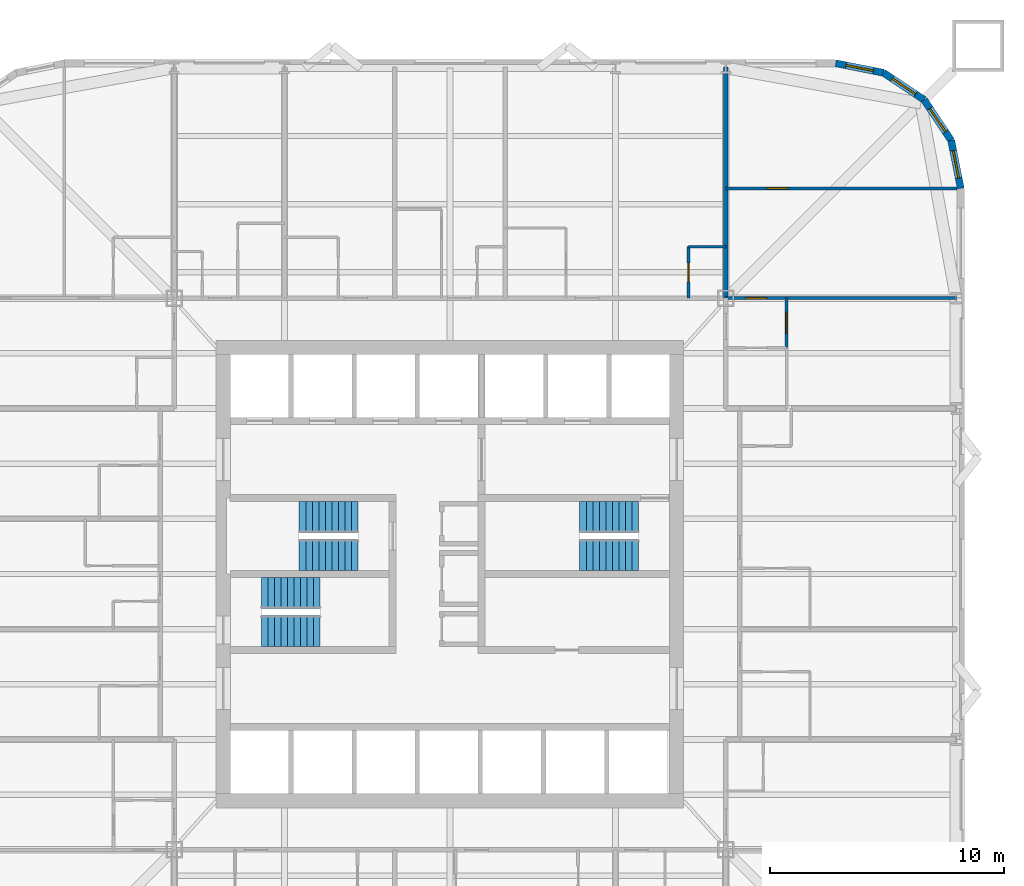
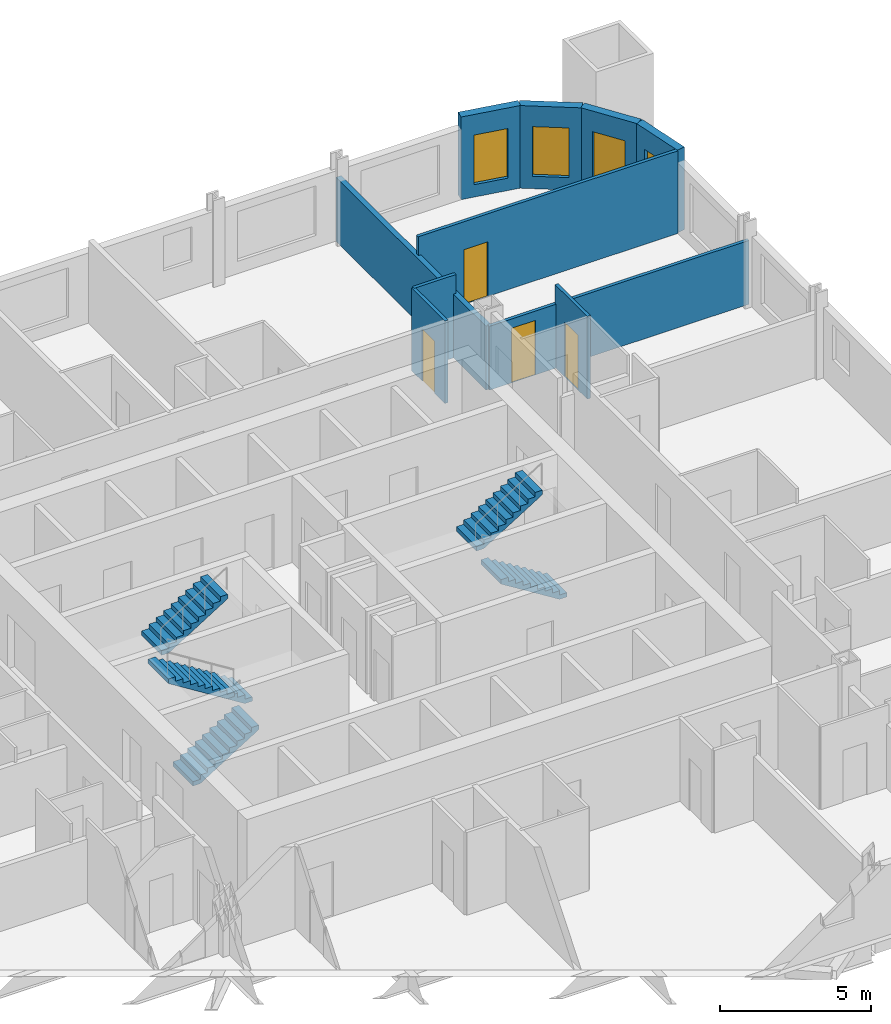
# One storey, part 8 of 9: 10 walls, 6 stair flights, 4 doors, 4 windows, 8 openings, 3 elements without a shape of their own.
"""IFC4 building model written with IfcOpenShell, lengths in metres."""

from ifc_helpers import new_model, si_unit, direction, frame, frame_2d, origin, place, context, subcontext, project, spatial, polyline, rectangle, outline, extrude, material, layer, layer_set, type_object, element, fill, aggregate, save


model = new_model("IFC4")

# Units and contexts
model_context = context("Model", 3, precision=1e-05, world=origin(), true_north=direction((0.0, 1.0)))
body_context = subcontext(model_context, "Body", "Model", "MODEL_VIEW")
ifc_project = project(units=[si_unit("LENGTHUNIT", "METRE"), si_unit("AREAUNIT", "SQUARE_METRE"), si_unit("VOLUMEUNIT", "CUBIC_METRE"), si_unit("PLANEANGLEUNIT", "RADIAN"), si_unit("MASSUNIT", "GRAM", prefix="KILO")], contexts=[model_context])

# Site, building, storey
site_placement = place(None, origin())
site = spatial("IfcSite", under=ifc_project, at=site_placement, CompositionType="ELEMENT")
building_placement = place(site_placement, origin())
building = spatial("IfcBuilding", under=site, at=building_placement, Name="Turquesa Mirador Hotel Tower", CompositionType="ELEMENT")
storey_placement = place(building_placement, frame((0.0, 0.0, 49.5)))
storey = spatial("IfcBuildingStorey", under=building, at=storey_placement, Name="L12", CompositionType="ELEMENT", Elevation=49.5)

# Wall, opening, window
ifc_material_1 = material(Name="Limestone cladding on concrete block", Category="masonry")
ifc_layer_1 = layer(ifc_material_1, 0.300048828125)
ifc_layer_set_1 = layer_set([ifc_layer_1], Name="FACADE WALL 300 STONE SCREEN")
wall_type_1 = type_object("IfcWallType", Name="FACADE WALL 300 STONE SCREEN", PredefinedType="SOLIDWALL", material=ifc_layer_set_1)
wall_1_placement = place(storey_placement, frame((76.85009765625, 61.5, 0.0), z_axis=(0.0, 0.0, 1.0), x_axis=(-0.195081421501, 0.980787050784, 0.0)))
wall_1 = element("IfcWall", 1, at=wall_1_placement, inside=storey, type_object=wall_type_1, Name="Facade wall L12 05", PredefinedType="SOLIDWALL", context=body_context, shape_type="SweptSolid", body=[
    extrude(rectangle(XDim=2.08740234375, YDim=0.300048828125, at=frame_2d((1.043701171875, 0.0))), origin(), (0.0, 0.0, 1.0), 3.330078125),
])
opening_1_placement = place(wall_1_placement, frame((0.443603515625, 0.0, 0.5)))
opening_1 = element("IfcOpeningElement", 2, at=opening_1_placement, cuts=wall_1, Name="Opening WN4", PredefinedType="OPENING", context=body_context, shape_type="SweptSolid", body=[
    extrude(rectangle(XDim=1.199951171875, YDim=2.0, at=frame_2d((0.60009765625, 1.0))), frame((0.0, 0.159912109375, 0.0), z_axis=(0.0, -1.0, 0.0), x_axis=(1.0, 0.0, 0.0)), (0.0, 0.0, 1.0), 0.320068359375),
])
ifc_material_2 = material(Name="Ceramic-fritted laminated glass", Category="glass")
window_type = type_object("IfcWindowType", Name="FRITTED CORNER WINDOW 1200X2000", PartitioningType="DOUBLE_PANEL_HORIZONTAL", PredefinedType="WINDOW", material=ifc_material_2)
window_1_placement = place(opening_1_placement, origin())
window_1 = element("IfcWindow", 3, at=window_1_placement, inside=storey, type_object=window_type, Name="Window L12", OverallHeight=2.0, OverallWidth=1.199951171875, PartitioningType="SINGLE_PANEL", PredefinedType="WINDOW", context=body_context, shape_type="SweptSolid", body=[
    extrude(rectangle(XDim=1.199951171875, YDim=2.0, at=frame_2d((0.60009765625, 1.0))), frame((0.0, 0.030029296875, 0.0), z_axis=(0.0, -1.0, 0.0), x_axis=(1.0, 0.0, 0.0)), (0.0, 0.0, 1.0), 0.06005859375),
])
fill(opening_1, window_1)

wall_2_placement = place(storey_placement, frame((76.44287109375, 63.54736328125, 0.0), z_axis=(0.0, 0.0, 1.0), x_axis=(-0.555644460423, 0.831420010345, 0.0)))
wall_2 = element("IfcWall", 4, at=wall_2_placement, inside=storey, type_object=wall_type_1, Name="Facade wall L12 06", PredefinedType="SOLIDWALL", context=body_context, shape_type="SweptSolid", body=[
    extrude(rectangle(XDim=2.08740234375, YDim=0.300048828125, at=frame_2d((1.043701171875, 0.0))), origin(), (0.0, 0.0, 1.0), 3.330078125),
])
opening_2_placement = place(wall_2_placement, frame((0.443603515625, 0.0, 0.5)))
opening_2 = element("IfcOpeningElement", 5, at=opening_2_placement, cuts=wall_2, Name="Opening WN4", PredefinedType="OPENING", context=body_context, shape_type="SweptSolid", body=[
    extrude(rectangle(XDim=1.199951171875, YDim=2.0, at=frame_2d((0.60009765625, 1.0))), frame((0.0, 0.159912109375, 0.0), z_axis=(0.0, -1.0, 0.0), x_axis=(1.0, 0.0, 0.0)), (0.0, 0.0, 1.0), 0.320068359375),
])
window_2_placement = place(opening_2_placement, origin())
window_2 = element("IfcWindow", 6, at=window_2_placement, inside=storey, type_object=window_type, Name="Window L12", OverallHeight=2.0, OverallWidth=1.199951171875, PartitioningType="SINGLE_PANEL", PredefinedType="WINDOW", context=body_context, shape_type="SweptSolid", body=[
    extrude(rectangle(XDim=1.199951171875, YDim=2.0, at=frame_2d((0.60009765625, 1.0))), frame((0.0, 0.030029296875, 0.0), z_axis=(0.0, -1.0, 0.0), x_axis=(1.0, 0.0, 0.0)), (0.0, 0.0, 1.0), 0.06005859375),
])
fill(opening_2, window_2)

wall_3_placement = place(storey_placement, frame((75.282958984375, 65.282958984375, 0.0), z_axis=(0.0, 0.0, 1.0), x_axis=(-0.831420010345, 0.555644460423, 0.0)))
wall_3 = element("IfcWall", 7, at=wall_3_placement, inside=storey, type_object=wall_type_1, Name="Facade wall L12 07", PredefinedType="SOLIDWALL", context=body_context, shape_type="SweptSolid", body=[
    extrude(rectangle(XDim=2.08740234375, YDim=0.300048828125, at=frame_2d((1.043701171875, 0.0))), origin(), (0.0, 0.0, 1.0), 3.330078125),
])
opening_3_placement = place(wall_3_placement, frame((0.443603515625, 0.0, 0.5)))
opening_3 = element("IfcOpeningElement", 8, at=opening_3_placement, cuts=wall_3, Name="Opening WN4", PredefinedType="OPENING", context=body_context, shape_type="SweptSolid", body=[
    extrude(rectangle(XDim=1.199951171875, YDim=2.0, at=frame_2d((0.60009765625, 1.0))), frame((0.0, 0.159912109375, 0.0), z_axis=(0.0, -1.0, 0.0), x_axis=(1.0, 0.0, 0.0)), (0.0, 0.0, 1.0), 0.320068359375),
])
window_3_placement = place(opening_3_placement, origin())
window_3 = element("IfcWindow", 9, at=window_3_placement, inside=storey, type_object=window_type, Name="Window L12", OverallHeight=2.0, OverallWidth=1.199951171875, PartitioningType="SINGLE_PANEL", PredefinedType="WINDOW", context=body_context, shape_type="SweptSolid", body=[
    extrude(rectangle(XDim=1.199951171875, YDim=2.0, at=frame_2d((0.60009765625, 1.0))), frame((0.0, 0.030029296875, 0.0), z_axis=(0.0, -1.0, 0.0), x_axis=(1.0, 0.0, 0.0)), (0.0, 0.0, 1.0), 0.06005859375),
])
fill(opening_3, window_3)

wall_4_placement = place(storey_placement, frame((73.54736328125, 66.44287109375, 0.0), z_axis=(0.0, 0.0, 1.0), x_axis=(-0.980787050784, 0.195081421501, 0.0)))
wall_4 = element("IfcWall", 10, at=wall_4_placement, inside=storey, type_object=wall_type_1, Name="Facade wall L12 08", PredefinedType="SOLIDWALL", context=body_context, shape_type="SweptSolid", body=[
    extrude(rectangle(XDim=2.08740234375, YDim=0.300048828125, at=frame_2d((1.043701171875, 0.0))), origin(), (0.0, 0.0, 1.0), 3.330078125),
])
opening_4_placement = place(wall_4_placement, frame((0.443603515625, 0.0, 0.5)))
opening_4 = element("IfcOpeningElement", 11, at=opening_4_placement, cuts=wall_4, Name="Opening WN4", PredefinedType="OPENING", context=body_context, shape_type="SweptSolid", body=[
    extrude(rectangle(XDim=1.199951171875, YDim=2.0, at=frame_2d((0.60009765625, 1.0))), frame((0.0, 0.159912109375, 0.0), z_axis=(0.0, -1.0, 0.0), x_axis=(1.0, 0.0, 0.0)), (0.0, 0.0, 1.0), 0.320068359375),
])
window_4_placement = place(opening_4_placement, origin())
window_4 = element("IfcWindow", 12, at=window_4_placement, inside=storey, type_object=window_type, Name="Window L12", OverallHeight=2.0, OverallWidth=1.199951171875, PartitioningType="SINGLE_PANEL", PredefinedType="WINDOW", context=body_context, shape_type="SweptSolid", body=[
    extrude(rectangle(XDim=1.199951171875, YDim=2.0, at=frame_2d((0.60009765625, 1.0))), frame((0.0, 0.030029296875, 0.0), z_axis=(0.0, -1.0, 0.0), x_axis=(1.0, 0.0, 0.0)), (0.0, 0.0, 1.0), 0.06005859375),
])
fill(opening_4, window_4)

# Wall
ifc_material_3 = material(Name="Fire-rated gypsum board on steel studs", Category="steel")
ifc_layer_2 = layer(ifc_material_3, 0.199951171875)
ifc_layer_set_2 = layer_set([ifc_layer_2], Name="PARTY WALL 200")
wall_type_2 = type_object("IfcWallType", Name="PARTY WALL 200", PredefinedType="PARTITIONING", material=ifc_layer_set_2)
wall_5_placement = place(storey_placement, frame((66.800048828125, 56.800048828125, 0.0), z_axis=(0.0, 0.0, 1.0), x_axis=(0.0, 1.0, 0.0)))
element("IfcWall", 13, at=wall_5_placement, inside=storey, type_object=wall_type_2, Name="Partition L12 078", PredefinedType="PARTITIONING", context=body_context, shape_type="SweptSolid", body=[
    extrude(rectangle(XDim=9.89990234375, YDim=0.199951171875, at=frame_2d((4.949951171875, 0.0))), origin(), (0.0, 0.0, 1.0), 2.572998046875),
])

# Wall, opening, door
ifc_material_4 = material(Name="Acoustic gypsum board on steel studs", Category="steel")
ifc_layer_3 = layer(ifc_material_4, 0.125)
ifc_layer_set_3 = layer_set([ifc_layer_3], Name="SUITE PARTITION 125")
wall_type_3 = type_object("IfcWallType", Name="SUITE PARTITION 125", PredefinedType="PARTITIONING", material=ifc_layer_set_3)
wall_6_placement = place(storey_placement, frame((66.800048828125, 56.800048828125, 0.0), z_axis=(0.0, 0.0, 1.0), x_axis=(1.0, 0.0, 0.0)))
wall_6 = element("IfcWall", 14, at=wall_6_placement, inside=storey, type_object=wall_type_3, Name="Partition L12 028", PredefinedType="PARTITIONING", context=body_context, shape_type="SweptSolid", body=[
    extrude(rectangle(XDim=9.89990234375, YDim=0.125, at=frame_2d((4.949951171875, 0.0))), origin(), (0.0, 0.0, 1.0), 2.572998046875),
])
opening_5_placement = place(wall_6_placement, frame((0.85009765625, 0.0, 0.0)))
opening_5 = element("IfcOpeningElement", 15, at=opening_5_placement, cuts=wall_6, Name="Opening D17", PredefinedType="OPENING", context=body_context, shape_type="SweptSolid", body=[
    extrude(rectangle(XDim=0.89990234375, YDim=2.199951171875, at=frame_2d((0.449951171875, 1.10009765625))), frame((0.0, 0.072509765625, 0.0), z_axis=(0.0, -1.0, 0.0), x_axis=(1.0, 0.0, 0.0)), (0.0, 0.0, 1.0), 0.14501953125),
])
ifc_material_5 = material(Name="Timber veneered door", Category="wood")
door_type_1 = type_object("IfcDoorType", Name="DOOR 900X2200 SUITE INTERNAL", OperationType="SINGLE_SWING_LEFT", PredefinedType="DOOR", material=ifc_material_5)
door_1_placement = place(opening_5_placement, origin())
door_1 = element("IfcDoor", 16, at=door_1_placement, inside=storey, type_object=door_type_1, Name="Door 1213", OperationType="SINGLE_SWING_LEFT", OverallHeight=2.199951171875, OverallWidth=0.89990234375, PredefinedType="DOOR", context=body_context, shape_type="SweptSolid", body=[
    extrude(rectangle(XDim=0.89990234375, YDim=2.199951171875, at=frame_2d((0.449951171875, 1.10009765625))), frame((0.0, 0.02490234375, 0.0), z_axis=(0.0, -1.0, 0.0), x_axis=(1.0, 0.0, 0.0)), (0.0, 0.0, 1.0), 0.050048828125),
])
fill(opening_5, door_1)

# Wall
wall_7_placement = place(storey_placement, frame((65.199951171875, 59.0, 0.0), z_axis=(0.0, 0.0, 1.0), x_axis=(1.0, 0.0, 0.0)))
element("IfcWall", 17, at=wall_7_placement, inside=storey, type_object=wall_type_3, Name="Partition L12 031", PredefinedType="PARTITIONING", context=body_context, shape_type="SweptSolid", body=[
    extrude(rectangle(XDim=1.60009765625, YDim=0.125, at=frame_2d((0.800048828125, 0.0))), origin(), (0.0, 0.0, 1.0), 3.330078125),
])

# Wall, opening, door
wall_8_placement = place(storey_placement, frame((66.800048828125, 61.5, 0.0), z_axis=(0.0, 0.0, 1.0), x_axis=(1.0, 0.0, 0.0)))
wall_8 = element("IfcWall", 18, at=wall_8_placement, inside=storey, type_object=wall_type_3, Name="Partition L12 037", PredefinedType="PARTITIONING", context=body_context, shape_type="SweptSolid", body=[
    extrude(rectangle(XDim=9.89404296875, YDim=0.125, at=frame_2d((4.947021484375, 0.0))), origin(), (0.0, 0.0, 1.0), 3.330078125),
])
opening_6_placement = place(wall_8_placement, frame((1.75, 0.0, 0.0)))
opening_6 = element("IfcOpeningElement", 19, at=opening_6_placement, cuts=wall_8, Name="Opening D17", PredefinedType="OPENING", context=body_context, shape_type="SweptSolid", body=[
    extrude(rectangle(XDim=0.89990234375, YDim=2.199951171875, at=frame_2d((0.449951171875, 1.10009765625))), frame((0.0, 0.072509765625, 0.0), z_axis=(0.0, -1.0, 0.0), x_axis=(1.0, 0.0, 0.0)), (0.0, 0.0, 1.0), 0.14501953125),
])
door_2_placement = place(opening_6_placement, origin())
door_2 = element("IfcDoor", 20, at=door_2_placement, inside=storey, type_object=door_type_1, Name="Door 1213M", OperationType="SINGLE_SWING_LEFT", OverallHeight=2.199951171875, OverallWidth=0.89990234375, PredefinedType="DOOR", context=body_context, shape_type="SweptSolid", body=[
    extrude(rectangle(XDim=0.89990234375, YDim=2.199951171875, at=frame_2d((0.449951171875, 1.10009765625))), frame((0.0, 0.02490234375, 0.0), z_axis=(0.0, -1.0, 0.0), x_axis=(1.0, 0.0, 0.0)), (0.0, 0.0, 1.0), 0.050048828125),
])
fill(opening_6, door_2)

wall_9_placement = place(storey_placement, frame((65.199951171875, 56.800048828125, 0.0), z_axis=(0.0, 0.0, 1.0), x_axis=(0.0, 1.0, 0.0)))
wall_9 = element("IfcWall", 21, at=wall_9_placement, inside=storey, type_object=wall_type_3, Name="Partition L12 073", PredefinedType="PARTITIONING", context=body_context, shape_type="SweptSolid", body=[
    extrude(rectangle(XDim=2.199951171875, YDim=0.125, at=frame_2d((1.10009765625, 0.0))), origin(), (0.0, 0.0, 1.0), 3.330078125),
])
opening_7_placement = place(wall_9_placement, frame((0.699951171875, 0.0, 0.0)))
opening_7 = element("IfcOpeningElement", 22, at=opening_7_placement, cuts=wall_9, Name="Opening D20", PredefinedType="OPENING", context=body_context, shape_type="SweptSolid", body=[
    extrude(rectangle(XDim=0.800048828125, YDim=2.10009765625, at=frame_2d((0.39990234375, 1.050048828125))), frame((0.0, 0.072509765625, 0.0), z_axis=(0.0, -1.0, 0.0), x_axis=(1.0, 0.0, 0.0)), (0.0, 0.0, 1.0), 0.14501953125),
])
ifc_material_6 = material(Name="Timber veneered sliding door", Category="wood")
door_type_2 = type_object("IfcDoorType", Name="DOOR 800X2100 WARDROBE", OperationType="SLIDING_TO_LEFT", PredefinedType="DOOR", material=ifc_material_6)
door_3_placement = place(opening_7_placement, origin())
door_3 = element("IfcDoor", 23, at=door_3_placement, inside=storey, type_object=door_type_2, Name="Door 1204W", OperationType="SLIDING_TO_LEFT", OverallHeight=2.10009765625, OverallWidth=0.800048828125, PredefinedType="DOOR", context=body_context, shape_type="SweptSolid", body=[
    extrude(rectangle(XDim=0.800048828125, YDim=2.10009765625, at=frame_2d((0.39990234375, 1.050048828125))), frame((0.0, 0.02490234375, 0.0), z_axis=(0.0, -1.0, 0.0), x_axis=(1.0, 0.0, 0.0)), (0.0, 0.0, 1.0), 0.050048828125),
])
fill(opening_7, door_3)

wall_10_placement = place(storey_placement, frame((69.39990234375, 54.679931640625, 0.0), z_axis=(0.0, 0.0, 1.0), x_axis=(0.0, 1.0, 0.0)))
wall_10 = element("IfcWall", 24, at=wall_10_placement, inside=storey, type_object=wall_type_3, Name="Partition L12 083", PredefinedType="PARTITIONING", context=body_context, shape_type="SweptSolid", body=[
    extrude(rectangle(XDim=2.1201171875, YDim=0.125, at=frame_2d((1.06005859375, 0.0))), origin(), (0.0, 0.0, 1.0), 3.330078125),
])
opening_8_placement = place(wall_10_placement, frame((0.610107421875, 0.0, 0.0)))
opening_8 = element("IfcOpeningElement", 25, at=opening_8_placement, cuts=wall_10, Name="Opening D17", PredefinedType="OPENING", context=body_context, shape_type="SweptSolid", body=[
    extrude(rectangle(XDim=0.89990234375, YDim=2.199951171875, at=frame_2d((0.449951171875, 1.10009765625))), frame((0.0, 0.072509765625, 0.0), z_axis=(0.0, -1.0, 0.0), x_axis=(1.0, 0.0, 0.0)), (0.0, 0.0, 1.0), 0.14501953125),
])
door_4_placement = place(opening_8_placement, origin())
door_4 = element("IfcDoor", 26, at=door_4_placement, inside=storey, type_object=door_type_1, Name="Door 1213R", OperationType="SINGLE_SWING_LEFT", OverallHeight=2.199951171875, OverallWidth=0.89990234375, PredefinedType="DOOR", context=body_context, shape_type="SweptSolid", body=[
    extrude(rectangle(XDim=0.89990234375, YDim=2.199951171875, at=frame_2d((0.449951171875, 1.10009765625))), frame((0.0, 0.02490234375, 0.0), z_axis=(0.0, -1.0, 0.0), x_axis=(1.0, 0.0, 0.0)), (0.0, 0.0, 1.0), 0.050048828125),
])
fill(opening_8, door_4)

# Stair, stair flights
ifc_material_7 = material(Name="Concrete C35/45", Category="concrete")
stair_type = type_object("IfcStairType", Name="ESCAPE STAIR CORE", PredefinedType="HALF_TURN_STAIR", material=ifc_material_7)
stair_1_placement = place(storey_placement, origin())
stair_1 = element("IfcStair", 27, at=stair_1_placement, inside=storey, type_object=stair_type, Name="Stair ST1 L12 to L13", PredefinedType="HALF_TURN_STAIR")
ifc_material_8 = material(Name="Concrete C35/45 precast flight", Category="concrete")
stair_flight_type = type_object("IfcStairFlightType", Name="STAIR FLIGHT 1330", PredefinedType="STRAIGHT", material=ifc_material_8)
stair_flight_1_placement = place(storey_placement, frame((51.070068359375, 45.81494140625, 0.0), z_axis=(0.0, 0.0, 1.0), x_axis=(-1.0, 0.0, 0.0)))
stair_flight_1 = element("IfcStairFlight", 28, at=stair_flight_1_placement, type_object=stair_flight_type, Name="ST1 flight 1", NumberOfRisers=10, NumberOfTreads=9, PredefinedType="STRAIGHT", RiserHeight=0.175, TreadLength=0.28, context=body_context, shape_type="SweptSolid", body=[
    extrude(outline(polyline([(0.0, 0.0), (0.0, 0.175048828125), (0.280029296875, 0.175048828125), (0.280029296875, 0.35009765625), (0.56005859375, 0.35009765625), (0.56005859375, 0.52490234375), (0.840087890625, 0.52490234375), (0.840087890625, 0.699951171875), (1.1201171875, 0.699951171875), (1.1201171875, 0.875), (1.39990234375, 0.875), (1.39990234375, 1.050048828125), (1.679931640625, 1.050048828125), (1.679931640625, 1.22509765625), (1.9599609375, 1.22509765625), (1.9599609375, 1.39990234375), (2.239990234375, 1.39990234375), (2.239990234375, 1.574951171875), (2.52001953125, 1.574951171875), (2.52001953125, 1.75), (2.52001953125, 1.398193359375), (0.28271484375, 0.0), (0.0, 0.0)])), frame((0.0, 0.6650390625, 0.0), z_axis=(0.0, -1.0, 0.0), x_axis=(1.0, 0.0, 0.0)), (0.0, 0.0, 1.0), 1.330078125),
])
stair_flight_2_placement = place(storey_placement, frame((48.550048828125, 47.43505859375, 1.75), z_axis=(0.0, 0.0, 1.0), x_axis=(1.0, 0.0, 0.0)))
stair_flight_2 = element("IfcStairFlight", 29, at=stair_flight_2_placement, type_object=stair_flight_type, Name="ST1 flight 2", NumberOfRisers=10, NumberOfTreads=9, PredefinedType="STRAIGHT", RiserHeight=0.175, TreadLength=0.28, context=body_context, shape_type="SweptSolid", body=[
    extrude(outline(polyline([(0.0, 0.0), (0.0, 0.175048828125), (0.280029296875, 0.175048828125), (0.280029296875, 0.35009765625), (0.56005859375, 0.35009765625), (0.56005859375, 0.52490234375), (0.840087890625, 0.52490234375), (0.840087890625, 0.699951171875), (1.1201171875, 0.699951171875), (1.1201171875, 0.875), (1.39990234375, 0.875), (1.39990234375, 1.050048828125), (1.679931640625, 1.050048828125), (1.679931640625, 1.22509765625), (1.9599609375, 1.22509765625), (1.9599609375, 1.39990234375), (2.239990234375, 1.39990234375), (2.239990234375, 1.574951171875), (2.52001953125, 1.574951171875), (2.52001953125, 1.75), (2.52001953125, 1.398193359375), (0.28271484375, 0.0), (0.0, 0.0)])), frame((0.0, 0.6650390625, 0.0), z_axis=(0.0, -1.0, 0.0), x_axis=(1.0, 0.0, 0.0)), (0.0, 0.0, 1.0), 1.330078125),
])
aggregate(stair_1, [stair_flight_1, stair_flight_2])

stair_2_placement = place(storey_placement, origin())
stair_2 = element("IfcStair", 30, at=stair_2_placement, inside=storey, type_object=stair_type, Name="Stair ST2 L12 to L13", PredefinedType="HALF_TURN_STAIR")
stair_flight_3_placement = place(storey_placement, frame((46.929931640625, 42.56494140625, 0.0), z_axis=(0.0, 0.0, 1.0), x_axis=(1.0, 0.0, 0.0)))
stair_flight_3 = element("IfcStairFlight", 31, at=stair_flight_3_placement, type_object=stair_flight_type, Name="ST2 flight 1", NumberOfRisers=10, NumberOfTreads=9, PredefinedType="STRAIGHT", RiserHeight=0.175, TreadLength=0.28, context=body_context, shape_type="SweptSolid", body=[
    extrude(outline(polyline([(0.0, 0.0), (0.0, 0.175048828125), (0.280029296875, 0.175048828125), (0.280029296875, 0.35009765625), (0.56005859375, 0.35009765625), (0.56005859375, 0.52490234375), (0.840087890625, 0.52490234375), (0.840087890625, 0.699951171875), (1.1201171875, 0.699951171875), (1.1201171875, 0.875), (1.39990234375, 0.875), (1.39990234375, 1.050048828125), (1.679931640625, 1.050048828125), (1.679931640625, 1.22509765625), (1.9599609375, 1.22509765625), (1.9599609375, 1.39990234375), (2.239990234375, 1.39990234375), (2.239990234375, 1.574951171875), (2.52001953125, 1.574951171875), (2.52001953125, 1.75), (2.52001953125, 1.398193359375), (0.28271484375, 0.0), (0.0, 0.0)])), frame((0.0, 0.6650390625, 0.0), z_axis=(0.0, -1.0, 0.0), x_axis=(1.0, 0.0, 0.0)), (0.0, 0.0, 1.0), 1.330078125),
])
stair_flight_4_placement = place(storey_placement, frame((49.449951171875, 44.18505859375, 1.75), z_axis=(0.0, 0.0, 1.0), x_axis=(-1.0, 0.0, 0.0)))
stair_flight_4 = element("IfcStairFlight", 32, at=stair_flight_4_placement, type_object=stair_flight_type, Name="ST2 flight 2", NumberOfRisers=10, NumberOfTreads=9, PredefinedType="STRAIGHT", RiserHeight=0.175, TreadLength=0.28, context=body_context, shape_type="SweptSolid", body=[
    extrude(outline(polyline([(0.0, 0.0), (0.0, 0.175048828125), (0.280029296875, 0.175048828125), (0.280029296875, 0.35009765625), (0.56005859375, 0.35009765625), (0.56005859375, 0.52490234375), (0.840087890625, 0.52490234375), (0.840087890625, 0.699951171875), (1.1201171875, 0.699951171875), (1.1201171875, 0.875), (1.39990234375, 0.875), (1.39990234375, 1.050048828125), (1.679931640625, 1.050048828125), (1.679931640625, 1.22509765625), (1.9599609375, 1.22509765625), (1.9599609375, 1.39990234375), (2.239990234375, 1.39990234375), (2.239990234375, 1.574951171875), (2.52001953125, 1.574951171875), (2.52001953125, 1.75), (2.52001953125, 1.398193359375), (0.28271484375, 0.0), (0.0, 0.0)])), frame((0.0, 0.6650390625, 0.0), z_axis=(0.0, -1.0, 0.0), x_axis=(1.0, 0.0, 0.0)), (0.0, 0.0, 1.0), 1.330078125),
])
aggregate(stair_2, [stair_flight_3, stair_flight_4])

stair_3_placement = place(storey_placement, origin())
stair_3 = element("IfcStair", 33, at=stair_3_placement, inside=storey, type_object=stair_type, Name="Stair ST3 L12 to L13", PredefinedType="HALF_TURN_STAIR")
stair_flight_5_placement = place(storey_placement, frame((63.070068359375, 45.81494140625, 0.0), z_axis=(0.0, 0.0, 1.0), x_axis=(-1.0, 0.0, 0.0)))
stair_flight_5 = element("IfcStairFlight", 34, at=stair_flight_5_placement, type_object=stair_flight_type, Name="ST3 flight 1", NumberOfRisers=10, NumberOfTreads=9, PredefinedType="STRAIGHT", RiserHeight=0.175, TreadLength=0.28, context=body_context, shape_type="SweptSolid", body=[
    extrude(outline(polyline([(0.0, 0.0), (0.0, 0.175048828125), (0.280029296875, 0.175048828125), (0.280029296875, 0.35009765625), (0.56005859375, 0.35009765625), (0.56005859375, 0.52490234375), (0.840087890625, 0.52490234375), (0.840087890625, 0.699951171875), (1.1201171875, 0.699951171875), (1.1201171875, 0.875), (1.39990234375, 0.875), (1.39990234375, 1.050048828125), (1.679931640625, 1.050048828125), (1.679931640625, 1.22509765625), (1.9599609375, 1.22509765625), (1.9599609375, 1.39990234375), (2.239990234375, 1.39990234375), (2.239990234375, 1.574951171875), (2.52001953125, 1.574951171875), (2.52001953125, 1.75), (2.52001953125, 1.398193359375), (0.28271484375, 0.0), (0.0, 0.0)])), frame((0.0, 0.6650390625, 0.0), z_axis=(0.0, -1.0, 0.0), x_axis=(1.0, 0.0, 0.0)), (0.0, 0.0, 1.0), 1.330078125),
])
stair_flight_6_placement = place(storey_placement, frame((60.550048828125, 47.43505859375, 1.75), z_axis=(0.0, 0.0, 1.0), x_axis=(1.0, 0.0, 0.0)))
stair_flight_6 = element("IfcStairFlight", 35, at=stair_flight_6_placement, type_object=stair_flight_type, Name="ST3 flight 2", NumberOfRisers=10, NumberOfTreads=9, PredefinedType="STRAIGHT", RiserHeight=0.175, TreadLength=0.28, context=body_context, shape_type="SweptSolid", body=[
    extrude(outline(polyline([(0.0, 0.0), (0.0, 0.175048828125), (0.280029296875, 0.175048828125), (0.280029296875, 0.35009765625), (0.56005859375, 0.35009765625), (0.56005859375, 0.52490234375), (0.840087890625, 0.52490234375), (0.840087890625, 0.699951171875), (1.1201171875, 0.699951171875), (1.1201171875, 0.875), (1.39990234375, 0.875), (1.39990234375, 1.050048828125), (1.679931640625, 1.050048828125), (1.679931640625, 1.22509765625), (1.9599609375, 1.22509765625), (1.9599609375, 1.39990234375), (2.239990234375, 1.39990234375), (2.239990234375, 1.574951171875), (2.52001953125, 1.574951171875), (2.52001953125, 1.75), (2.52001953125, 1.398193359375), (0.28271484375, 0.0), (0.0, 0.0)])), frame((0.0, 0.6650390625, 0.0), z_axis=(0.0, -1.0, 0.0), x_axis=(1.0, 0.0, 0.0)), (0.0, 0.0, 1.0), 1.330078125),
])
aggregate(stair_3, [stair_flight_5, stair_flight_6])

save(model, "model.ifc")
